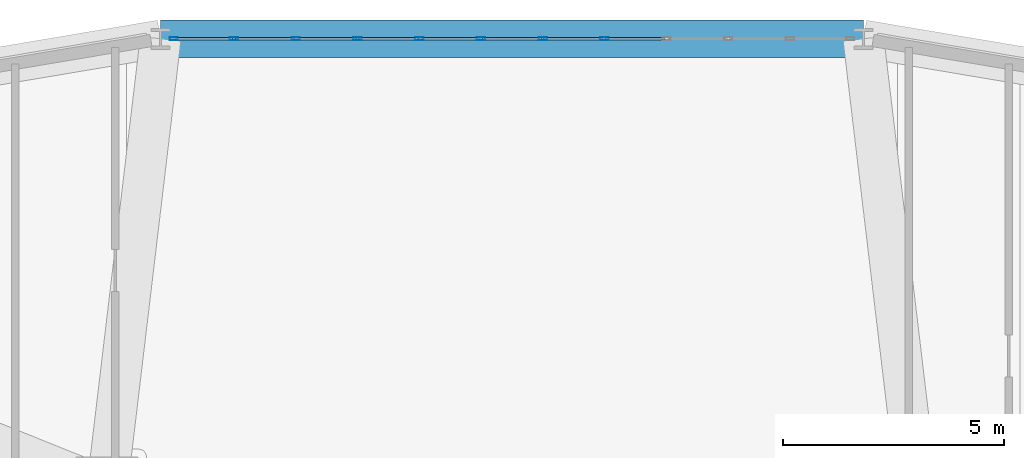
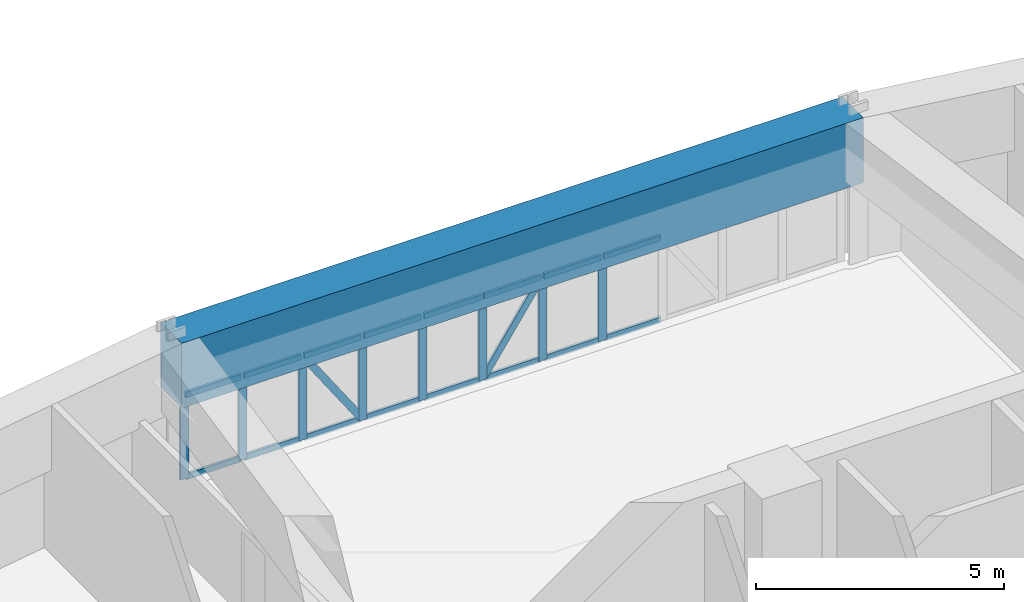
# One storey, part 11 of 20: 26 members, 1 beam, 1 element without a shape of its own.
"""IFC4 building model written with IfcOpenShell, lengths in metres."""

from ifc_helpers import new_model, si_unit, derived_unit, direction, frame, origin, origin_2d, place, context, subcontext, project, spatial, rectangle, hollow_rectangle, extrude, source, transform, mapped, material, layer, layer_set, material_profile, profile_set, type_object, element, aggregate, save


model = new_model("IFC4")

# Units and contexts
model_context = context("Model", 3, precision=1e-05, world=origin(), true_north=direction((0.0, 1.0)))
body_context = subcontext(model_context, "Body", "Model", "MODEL_VIEW")
ifc_project = project(units=[si_unit("LENGTHUNIT", "METRE"), si_unit("AREAUNIT", "SQUARE_METRE"), si_unit("VOLUMEUNIT", "CUBIC_METRE"), si_unit("PLANEANGLEUNIT", "RADIAN"), si_unit("MASSUNIT", "GRAM", prefix="KILO"), derived_unit("THERMALTRANSMITTANCEUNIT", [(si_unit("POWERUNIT", "WATT"), 1), (si_unit("LENGTHUNIT", "METRE"), -2), (si_unit("THERMODYNAMICTEMPERATUREUNIT", "KELVIN"), -1)])], contexts=[model_context])

# Site, building, storey
site_placement = place(None, origin())
site = spatial("IfcSite", under=ifc_project, at=site_placement, CompositionType="ELEMENT")
building_placement = place(site_placement, origin())
building = spatial("IfcBuilding", under=site, at=building_placement, Name="Korsvarv Bourse and Concert Hall", CompositionType="ELEMENT")
storey_placement = place(building_placement, frame((0.0, 0.0, 35.699951171875)))
storey = spatial("IfcBuildingStorey", under=building, at=storey_placement, Name="L08", CompositionType="ELEMENT", Elevation=35.699951171875)

# Beam
ifc_material_1 = material(Name="Concrete C55/67", Category="concrete")
ifc_material_profile_1 = material_profile(ifc_material_1, rectangle(XDim=0.85009765625, YDim=1.60009765625, at=origin_2d()), Name="RC-BM 850x1600")
ifc_profile_set_1 = profile_set([ifc_material_profile_1], Name="Concrete C55/67")
beam_type = type_object("IfcBeamType", Name="BM-TR1B", PredefinedType="BEAM", material=ifc_profile_set_1)
shared_shape_1 = source(origin(), body_context, "Body", "SweptSolid", [
    extrude(rectangle(XDim=0.85009765625, YDim=1.60009765625, at=origin_2d()), origin(), (0.0, 0.0, 1.0), 15.88232421875),
])
beam_placement = place(storey_placement, frame((43.941162109375, 57.401611328125, 2.880126953125), z_axis=(-1.0, 0.0, 0.0), x_axis=(0.0, -1.0, 0.0)))
element("IfcBeam", 1, at=beam_placement, inside=storey, type_object=beam_type, Name="L08 beam B-TR2", PredefinedType="BEAM", context=body_context, shape_type="MappedRepresentation", body=[
    mapped(shared_shape_1, transform((0.0, 0.0, 0.0), scale=1.0)),
])

# Curtain wall, members
ifc_material_2 = material(Name="Anodised aluminium and triple low-E glazing", Category="glass")
ifc_layer = layer(ifc_material_2, 0.219970703125)
ifc_layer_set = layer_set([ifc_layer], Name="Anodised aluminium and triple low-E glazing")
curtain_wall_type = type_object("IfcCurtainWallType", Name="CW-SYS-1", PredefinedType="NOTDEFINED", material=ifc_layer_set)
curtain_wall_placement = place(storey_placement, origin())
curtain_wall = element("IfcCurtainWall", 2, at=curtain_wall_placement, inside=storey, type_object=curtain_wall_type, Name="L08 CW1 curtain wall CW-L08-F03", PredefinedType="NOTDEFINED")
ifc_material_3 = material(Name="Extruded aluminium EN AW-6063 T66", Category="aluminium")
ifc_material_profile_2 = material_profile(ifc_material_3, hollow_rectangle(XDim=0.070068359375, YDim=0.18994140625, WallThickness=0.0048828125, at=origin_2d()), Name="ALU-M 70x190")
ifc_profile_set_2 = profile_set([ifc_material_profile_2], Name="Extruded aluminium EN AW-6063 T66")
member_type_1 = type_object("IfcMemberType", Name="CWM-190", PredefinedType="MULLION", material=ifc_profile_set_2)
shared_shape_2 = source(origin(), body_context, "Body", "SweptSolid", [
    extrude(hollow_rectangle(XDim=0.070068359375, YDim=0.18994140625, WallThickness=0.0048828125, at=origin_2d()), origin(), (0.0, 0.0, 1.0), 2.080078125),
])
member_1_placement = place(storey_placement, frame((38.09423828125, 57.401611328125, 0.0), z_axis=(0.0, 0.0, 1.0), x_axis=(0.0, -1.0, 0.0)))
member_1 = element("IfcMember", 3, at=member_1_placement, type_object=member_type_1, Name="CW1 mullion 5", PredefinedType="MULLION", context=body_context, shape_type="MappedRepresentation", body=[
    mapped(shared_shape_2, transform((0.0, 0.0, 0.0), scale=1.0)),
])
member_2_placement = place(storey_placement, frame((36.697998046875, 57.401611328125, 0.0), z_axis=(0.0, 0.0, 1.0), x_axis=(0.0, -1.0, 0.0)))
member_2 = element("IfcMember", 4, at=member_2_placement, type_object=member_type_1, Name="CW1 mullion 6", PredefinedType="MULLION", context=body_context, shape_type="MappedRepresentation", body=[
    mapped(shared_shape_2, transform((0.0, 0.0, 0.0), scale=1.0)),
])
member_3_placement = place(storey_placement, frame((35.302001953125, 57.401611328125, 0.0), z_axis=(0.0, 0.0, 1.0), x_axis=(0.0, -1.0, 0.0)))
member_3 = element("IfcMember", 5, at=member_3_placement, type_object=member_type_1, Name="CW1 mullion 7", PredefinedType="MULLION", context=body_context, shape_type="MappedRepresentation", body=[
    mapped(shared_shape_2, transform((0.0, 0.0, 0.0), scale=1.0)),
])
member_4_placement = place(storey_placement, frame((33.90576171875, 57.401611328125, 0.0), z_axis=(0.0, 0.0, 1.0), x_axis=(0.0, -1.0, 0.0)))
member_4 = element("IfcMember", 6, at=member_4_placement, type_object=member_type_1, Name="CW1 mullion 8", PredefinedType="MULLION", context=body_context, shape_type="MappedRepresentation", body=[
    mapped(shared_shape_2, transform((0.0, 0.0, 0.0), scale=1.0)),
])
member_5_placement = place(storey_placement, frame((32.509521484375, 57.401611328125, 0.0), z_axis=(0.0, 0.0, 1.0), x_axis=(0.0, -1.0, 0.0)))
member_5 = element("IfcMember", 7, at=member_5_placement, type_object=member_type_1, Name="CW1 mullion 9", PredefinedType="MULLION", context=body_context, shape_type="MappedRepresentation", body=[
    mapped(shared_shape_2, transform((0.0, 0.0, 0.0), scale=1.0)),
])
member_6_placement = place(storey_placement, frame((31.11328125, 57.401611328125, 0.0), z_axis=(0.0, 0.0, 1.0), x_axis=(0.0, -1.0, 0.0)))
member_6 = element("IfcMember", 8, at=member_6_placement, type_object=member_type_1, Name="CW1 mullion 10", PredefinedType="MULLION", context=body_context, shape_type="MappedRepresentation", body=[
    mapped(shared_shape_2, transform((0.0, 0.0, 0.0), scale=1.0)),
])
member_7_placement = place(storey_placement, frame((29.717041015625, 57.401611328125, 0.0), z_axis=(0.0, 0.0, 1.0), x_axis=(0.0, -1.0, 0.0)))
member_7 = element("IfcMember", 9, at=member_7_placement, type_object=member_type_1, Name="CW1 mullion 11", PredefinedType="MULLION", context=body_context, shape_type="MappedRepresentation", body=[
    mapped(shared_shape_2, transform((0.0, 0.0, 0.0), scale=1.0)),
])
member_8_placement = place(storey_placement, frame((28.35595703125, 57.401611328125, 0.0), z_axis=(0.0, 0.0, 1.0), x_axis=(0.0, -1.0, 0.0)))
member_8 = element("IfcMember", 10, at=member_8_placement, type_object=member_type_1, Name="CW1 mullion 12", PredefinedType="MULLION", context=body_context, shape_type="MappedRepresentation", body=[
    mapped(shared_shape_2, transform((0.0, 0.0, 0.0), scale=1.0)),
])
ifc_material_profile_3 = material_profile(ifc_material_3, hollow_rectangle(XDim=0.06494140625, YDim=0.139892578125, WallThickness=0.00390625, at=origin_2d()), Name="ALU-T 65x140")
ifc_profile_set_3 = profile_set([ifc_material_profile_3], Name="Extruded aluminium EN AW-6063 T66")
member_type_2 = type_object("IfcMemberType", Name="CWT-140", PredefinedType="USERDEFINED", material=ifc_profile_set_3)
shared_shape_3 = source(origin(), body_context, "Body", "SweptSolid", [
    extrude(hollow_rectangle(XDim=0.06494140625, YDim=0.139892578125, WallThickness=0.00390625, at=origin_2d()), origin(), (0.0, 0.0, 1.0), 1.291259765625),
])
member_9_placement = place(storey_placement, frame((29.68212890625, 57.401611328125, 0.032470703125), z_axis=(-1.0, 0.0, 0.0), x_axis=(0.0, -1.0, 0.0)))
member_9 = element("IfcMember", 11, at=member_9_placement, type_object=member_type_2, Name="CW1 transom 11.1", ObjectType="TRANSOM", PredefinedType="USERDEFINED", context=body_context, shape_type="MappedRepresentation", body=[
    mapped(shared_shape_3, transform((0.0, 0.0, 0.0), scale=1.0)),
])
member_10_placement = place(storey_placement, frame((29.68212890625, 57.401611328125, 2.047607421875), z_axis=(-1.0, 0.0, 0.0), x_axis=(0.0, -1.0, 0.0)))
member_10 = element("IfcMember", 12, at=member_10_placement, type_object=member_type_2, Name="CW1 transom 11.2", ObjectType="TRANSOM", PredefinedType="USERDEFINED", context=body_context, shape_type="MappedRepresentation", body=[
    mapped(shared_shape_3, transform((0.0, 0.0, 0.0), scale=1.0)),
])
shared_shape_4 = source(origin(), body_context, "Body", "SweptSolid", [
    extrude(hollow_rectangle(XDim=0.06494140625, YDim=0.139892578125, WallThickness=0.00390625, at=origin_2d()), origin(), (0.0, 0.0, 1.0), 1.326171875),
])
member_11_placement = place(storey_placement, frame((39.45556640625, 57.401611328125, 0.032470703125), z_axis=(-1.0, 0.0, 0.0), x_axis=(0.0, -1.0, 0.0)))
member_11 = element("IfcMember", 13, at=member_11_placement, type_object=member_type_2, Name="CW1 transom 4.1", ObjectType="TRANSOM", PredefinedType="USERDEFINED", context=body_context, shape_type="MappedRepresentation", body=[
    mapped(shared_shape_4, transform((0.0, 0.0, 0.0), scale=1.0)),
])
member_12_placement = place(storey_placement, frame((39.45556640625, 57.401611328125, 2.047607421875), z_axis=(-1.0, 0.0, 0.0), x_axis=(0.0, -1.0, 0.0)))
member_12 = element("IfcMember", 14, at=member_12_placement, type_object=member_type_2, Name="CW1 transom 4.2", ObjectType="TRANSOM", PredefinedType="USERDEFINED", context=body_context, shape_type="MappedRepresentation", body=[
    mapped(shared_shape_4, transform((0.0, 0.0, 0.0), scale=1.0)),
])
member_13_placement = place(storey_placement, frame((38.059326171875, 57.401611328125, 0.032470703125), z_axis=(-1.0, 0.0, 0.0), x_axis=(0.0, -1.0, 0.0)))
member_13 = element("IfcMember", 15, at=member_13_placement, type_object=member_type_2, Name="CW1 transom 5.1", ObjectType="TRANSOM", PredefinedType="USERDEFINED", context=body_context, shape_type="MappedRepresentation", body=[
    mapped(shared_shape_4, transform((0.0, 0.0, 0.0), scale=1.0)),
])
member_14_placement = place(storey_placement, frame((38.059326171875, 57.401611328125, 2.047607421875), z_axis=(-1.0, 0.0, 0.0), x_axis=(0.0, -1.0, 0.0)))
member_14 = element("IfcMember", 16, at=member_14_placement, type_object=member_type_2, Name="CW1 transom 5.2", ObjectType="TRANSOM", PredefinedType="USERDEFINED", context=body_context, shape_type="MappedRepresentation", body=[
    mapped(shared_shape_4, transform((0.0, 0.0, 0.0), scale=1.0)),
])
member_15_placement = place(storey_placement, frame((36.6630859375, 57.401611328125, 0.032470703125), z_axis=(-1.0, 0.0, 0.0), x_axis=(0.0, -1.0, 0.0)))
member_15 = element("IfcMember", 17, at=member_15_placement, type_object=member_type_2, Name="CW1 transom 6.1", ObjectType="TRANSOM", PredefinedType="USERDEFINED", context=body_context, shape_type="MappedRepresentation", body=[
    mapped(shared_shape_4, transform((0.0, 0.0, 0.0), scale=1.0)),
])
member_16_placement = place(storey_placement, frame((36.6630859375, 57.401611328125, 2.047607421875), z_axis=(-1.0, 0.0, 0.0), x_axis=(0.0, -1.0, 0.0)))
member_16 = element("IfcMember", 18, at=member_16_placement, type_object=member_type_2, Name="CW1 transom 6.2", ObjectType="TRANSOM", PredefinedType="USERDEFINED", context=body_context, shape_type="MappedRepresentation", body=[
    mapped(shared_shape_4, transform((0.0, 0.0, 0.0), scale=1.0)),
])
member_17_placement = place(storey_placement, frame((35.266845703125, 57.401611328125, 0.032470703125), z_axis=(-1.0, 0.0, 0.0), x_axis=(0.0, -1.0, 0.0)))
member_17 = element("IfcMember", 19, at=member_17_placement, type_object=member_type_2, Name="CW1 transom 7.1", ObjectType="TRANSOM", PredefinedType="USERDEFINED", context=body_context, shape_type="MappedRepresentation", body=[
    mapped(shared_shape_4, transform((0.0, 0.0, 0.0), scale=1.0)),
])
member_18_placement = place(storey_placement, frame((35.266845703125, 57.401611328125, 2.047607421875), z_axis=(-1.0, 0.0, 0.0), x_axis=(0.0, -1.0, 0.0)))
member_18 = element("IfcMember", 20, at=member_18_placement, type_object=member_type_2, Name="CW1 transom 7.2", ObjectType="TRANSOM", PredefinedType="USERDEFINED", context=body_context, shape_type="MappedRepresentation", body=[
    mapped(shared_shape_4, transform((0.0, 0.0, 0.0), scale=1.0)),
])
member_19_placement = place(storey_placement, frame((33.87060546875, 57.401611328125, 0.032470703125), z_axis=(-1.0, 0.0, 0.0), x_axis=(0.0, -1.0, 0.0)))
member_19 = element("IfcMember", 21, at=member_19_placement, type_object=member_type_2, Name="CW1 transom 8.1", ObjectType="TRANSOM", PredefinedType="USERDEFINED", context=body_context, shape_type="MappedRepresentation", body=[
    mapped(shared_shape_4, transform((0.0, 0.0, 0.0), scale=1.0)),
])
member_20_placement = place(storey_placement, frame((33.87060546875, 57.401611328125, 2.047607421875), z_axis=(-1.0, 0.0, 0.0), x_axis=(0.0, -1.0, 0.0)))
member_20 = element("IfcMember", 22, at=member_20_placement, type_object=member_type_2, Name="CW1 transom 8.2", ObjectType="TRANSOM", PredefinedType="USERDEFINED", context=body_context, shape_type="MappedRepresentation", body=[
    mapped(shared_shape_4, transform((0.0, 0.0, 0.0), scale=1.0)),
])
member_21_placement = place(storey_placement, frame((31.078369140625, 57.401611328125, 0.032470703125), z_axis=(-1.0, 0.0, 0.0), x_axis=(0.0, -1.0, 0.0)))
member_21 = element("IfcMember", 23, at=member_21_placement, type_object=member_type_2, Name="CW1 transom 10.1", ObjectType="TRANSOM", PredefinedType="USERDEFINED", context=body_context, shape_type="MappedRepresentation", body=[
    mapped(shared_shape_4, transform((0.0, 0.0, 0.0), scale=1.0)),
])
member_22_placement = place(storey_placement, frame((31.078369140625, 57.401611328125, 2.047607421875), z_axis=(-1.0, 0.0, 0.0), x_axis=(0.0, -1.0, 0.0)))
member_22 = element("IfcMember", 24, at=member_22_placement, type_object=member_type_2, Name="CW1 transom 10.2", ObjectType="TRANSOM", PredefinedType="USERDEFINED", context=body_context, shape_type="MappedRepresentation", body=[
    mapped(shared_shape_4, transform((0.0, 0.0, 0.0), scale=1.0)),
])
shared_shape_5 = source(origin(), body_context, "Body", "SweptSolid", [
    extrude(hollow_rectangle(XDim=0.06494140625, YDim=0.139892578125, WallThickness=0.00390625, at=origin_2d()), origin(), (0.0, 0.0, 1.0), 1.326416015625),
])
member_23_placement = place(storey_placement, frame((32.474609375, 57.401611328125, 0.032470703125), z_axis=(-1.0, 0.0, 0.0), x_axis=(0.0, -1.0, 0.0)))
member_23 = element("IfcMember", 25, at=member_23_placement, type_object=member_type_2, Name="CW1 transom 9.1", ObjectType="TRANSOM", PredefinedType="USERDEFINED", context=body_context, shape_type="MappedRepresentation", body=[
    mapped(shared_shape_5, transform((0.0, 0.0, 0.0), scale=1.0)),
])
member_24_placement = place(storey_placement, frame((32.474609375, 57.401611328125, 2.047607421875), z_axis=(-1.0, 0.0, 0.0), x_axis=(0.0, -1.0, 0.0)))
member_24 = element("IfcMember", 26, at=member_24_placement, type_object=member_type_2, Name="CW1 transom 9.2", ObjectType="TRANSOM", PredefinedType="USERDEFINED", context=body_context, shape_type="MappedRepresentation", body=[
    mapped(shared_shape_5, transform((0.0, 0.0, 0.0), scale=1.0)),
])
ifc_material_profile_4 = material_profile(ifc_material_3, hollow_rectangle(XDim=0.06494140625, YDim=0.1650390625, WallThickness=0.0048828125, at=origin_2d()), Name="ALU-M 65x165")
ifc_profile_set_4 = profile_set([ifc_material_profile_4], Name="Extruded aluminium EN AW-6063 T66")
member_type_3 = type_object("IfcMemberType", Name="CWM-165", PredefinedType="MULLION", material=ifc_profile_set_4)
shared_shape_6 = source(origin(), body_context, "Body", "SweptSolid", [
    extrude(hollow_rectangle(XDim=0.06494140625, YDim=0.1650390625, WallThickness=0.0048828125, at=origin_2d()), origin(), (0.0, 0.0, 1.0), 2.358642578125),
])
member_25_placement = place(storey_placement, frame((32.474609375, 57.401611328125, 0.06494140625), z_axis=(-0.562392127744, 0.0, 0.826870663799), x_axis=(0.0, -1.0, 0.0)))
member_25 = element("IfcMember", 27, at=member_25_placement, type_object=member_type_3, Name="CW1 diagonal mullion 9", PredefinedType="MULLION", context=body_context, shape_type="MappedRepresentation", body=[
    mapped(shared_shape_6, transform((0.0, 0.0, 0.0), scale=1.0)),
])
shared_shape_7 = source(origin(), body_context, "Body", "SweptSolid", [
    extrude(hollow_rectangle(XDim=0.06494140625, YDim=0.1650390625, WallThickness=0.0048828125, at=origin_2d()), origin(), (0.0, 0.0, 1.0), 2.3583984375),
])
member_26_placement = place(storey_placement, frame((35.3369140625, 57.401611328125, 0.06494140625), z_axis=(0.562321347408, 0.0, 0.826918800275), x_axis=(0.0, 1.0, 0.0)))
member_26 = element("IfcMember", 28, at=member_26_placement, type_object=member_type_3, Name="CW1 diagonal mullion 6", PredefinedType="MULLION", context=body_context, shape_type="MappedRepresentation", body=[
    mapped(shared_shape_7, transform((0.0, 0.0, 0.0), scale=1.0)),
])
aggregate(curtain_wall, [member_1, member_2, member_3, member_4, member_5, member_6, member_7, member_8, member_11, member_12, member_13, member_14, member_15, member_16, member_26, member_17, member_18, member_19, member_20, member_23, member_24, member_25, member_21, member_22, member_9, member_10])

save(model, "model.ifc")
